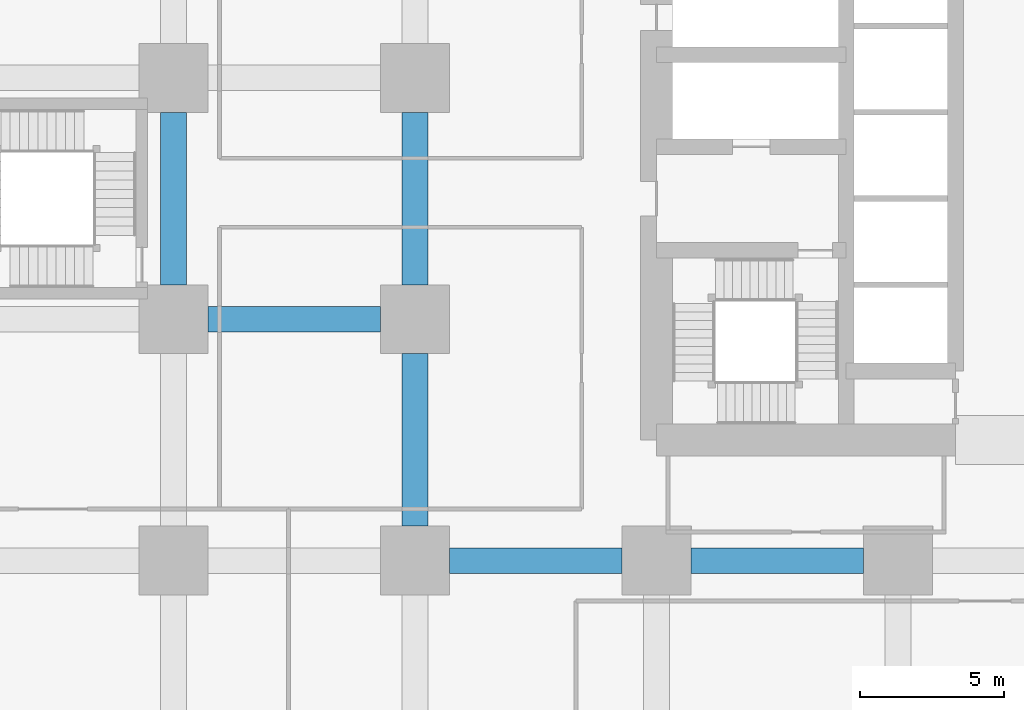
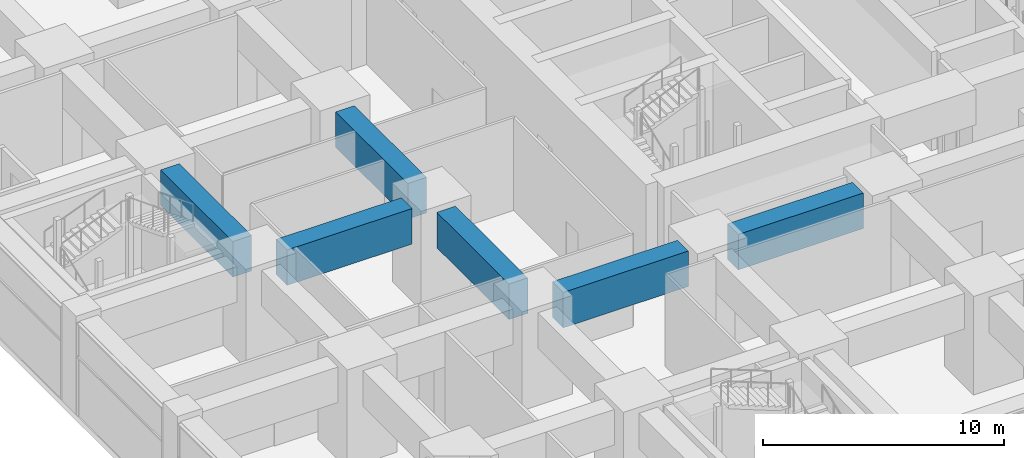
# One storey, part 12 of 49: 6 beams.
"""IFC4 building model written with IfcOpenShell, lengths in metres."""

from ifc_helpers import new_model, si_unit, direction, frame, origin, origin_2d, place, context, subcontext, project, spatial, rectangle, extrude, material, material_profile, profile_set, type_object, element, save


model = new_model("IFC4")

# Units and contexts
model_context = context("Model", 3, precision=1e-05, world=origin(), true_north=direction((0.0, 1.0)))
body_context = subcontext(model_context, "Body", "Model", "MODEL_VIEW")
ifc_project = project(units=[si_unit("LENGTHUNIT", "METRE"), si_unit("AREAUNIT", "SQUARE_METRE"), si_unit("VOLUMEUNIT", "CUBIC_METRE"), si_unit("PLANEANGLEUNIT", "RADIAN"), si_unit("MASSUNIT", "GRAM", prefix="KILO")], contexts=[model_context])

# Site, building, storey
site_placement = place(None, origin())
site = spatial("IfcSite", under=ifc_project, at=site_placement, CompositionType="ELEMENT")
building_placement = place(site_placement, origin())
building = spatial("IfcBuilding", under=site, at=building_placement, Name="Rekha Terrace Tower", CompositionType="ELEMENT")
storey_placement = place(building_placement, frame((0.0, 0.0, 5.39990234375)))
storey = spatial("IfcBuildingStorey", under=building, at=storey_placement, Name="L01", CompositionType="ELEMENT", Elevation=5.39990234375)

# Beams
ifc_material = material(Name="Concrete M60", Category="concrete")
ifc_material_profile = material_profile(ifc_material, rectangle(XDim=0.89990234375, YDim=1.800048828125, at=origin_2d()), Name="RC 900x1800")
ifc_profile_set = profile_set([ifc_material_profile], Name="Concrete M60")
beam_type = type_object("IfcBeamType", Name="G1 900x1800 podium floor beam", PredefinedType="BEAM", material=ifc_profile_set)
for number, where, z_axis, x_axis, name in (
    (1, (9.60009765625, 25.199951171875, 3.800048828125), (1.0, 0.0, 0.0), (0.0, 1.0, 0.0), "Beam G1 2D-3D under L02"),
    (2, (8.39990234375, 26.39990234375, 3.800048828125), (0.0, 1.0, 0.0), (-1.0, 0.0, 0.0), "Beam G1 2D-2E under L02"),
    (3, (18.0, 16.800048828125, 3.800048828125), (1.0, 0.0, 0.0), (0.0, 1.0, 0.0), "Beam G1 3C-4C under L02"),
    (4, (16.800048828125, 18.0, 3.800048828125), (0.0, 1.0, 0.0), (-1.0, 0.0, 0.0), "Beam G1 3C-3D under L02"),
    (5, (16.800048828125, 26.39990234375, 3.800048828125), (0.0, 1.0, 0.0), (-1.0, 0.0, 0.0), "Beam G1 3D-3E under L02"),
    (6, (26.39990234375, 16.800048828125, 3.800048828125), (1.0, 0.0, 0.0), (0.0, 1.0, 0.0), "Beam G1 4C-5C under L02"),
):
    element("IfcBeam", number, at=place(storey_placement, frame(where, z_axis=z_axis, x_axis=x_axis)), inside=storey, type_object=beam_type, Name=name, PredefinedType="BEAM", context=body_context, shape_type="SweptSolid", body=[
        extrude(rectangle(XDim=0.89990234375, YDim=1.800048828125, at=origin_2d()), origin(), (0.0, 0.0, 1.0), 6.0),
    ])

save(model, "model.ifc")
